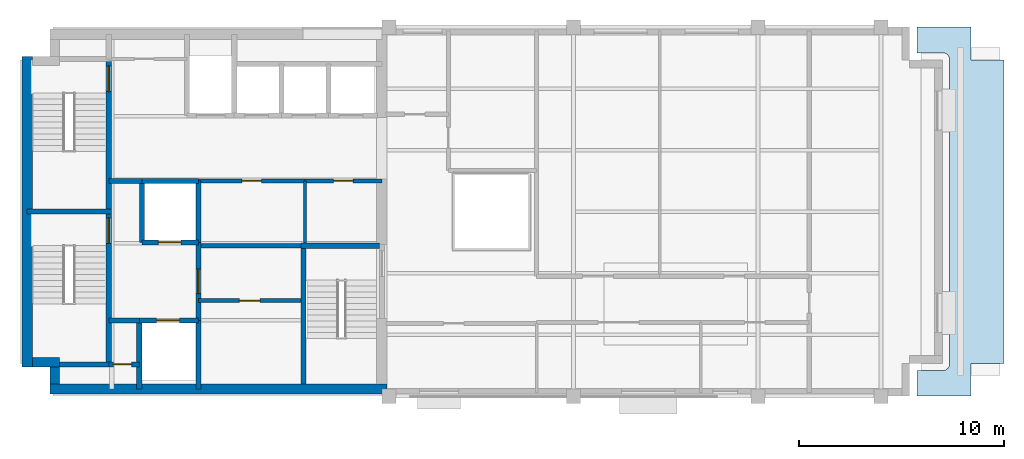
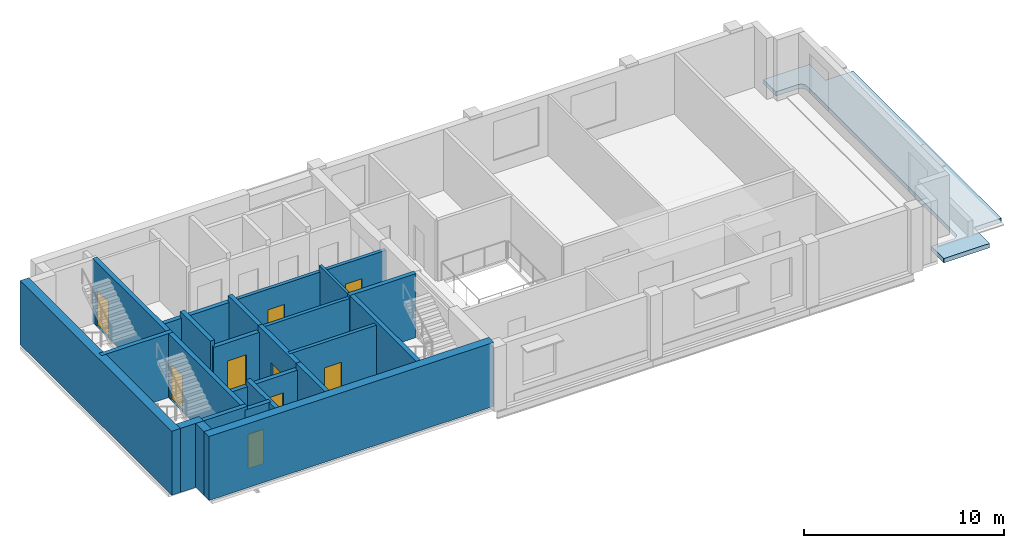
# One storey, part 2 of 5: 26 walls, 9 doors, 1 slab, 9 openings.
"""IFC4 building model written with IfcOpenShell, lengths in metres."""

from ifc_helpers import new_model, si_unit, direction, frame, frame_2d, origin, place, context, subcontext, project, spatial, polyline, rectangle, outline, extrude, material, layer, layer_set, type_object, element, fill, save


model = new_model("IFC4")

# Units and contexts
model_context = context("Model", 3, precision=1e-05, world=origin(), true_north=direction((0.0, 1.0)))
body_context = subcontext(model_context, "Body", "Model", "MODEL_VIEW")
ifc_project = project(units=[si_unit("LENGTHUNIT", "METRE"), si_unit("AREAUNIT", "SQUARE_METRE"), si_unit("VOLUMEUNIT", "CUBIC_METRE"), si_unit("PLANEANGLEUNIT", "RADIAN"), si_unit("MASSUNIT", "GRAM", prefix="KILO")], contexts=[model_context])

# Site, building, storey
site_placement = place(None, origin())
site = spatial("IfcSite", under=ifc_project, at=site_placement, CompositionType="ELEMENT")
building_placement = place(site_placement, origin())
building = spatial("IfcBuilding", under=site, at=building_placement, Name="Mawjdan Bourse Tower", CompositionType="ELEMENT")
storey_placement = place(building_placement, frame((0.0, 0.0, 285.89990234375)))
storey = spatial("IfcBuildingStorey", under=building, at=storey_placement, Name="L70", CompositionType="ELEMENT", Elevation=285.89990234375)

# Slab
ifc_material_1 = material(Name="Concrete C50/60", Category="concrete")
ifc_layer_1 = layer(ifc_material_1, 0.260009765625)
ifc_layer_set_1 = layer_set([ifc_layer_1], Name="Concrete C50/60")
slab_type = type_object("IfcSlabType", Name="SL-ROOF-260", PredefinedType="ROOF", material=ifc_layer_set_1)
slab_placement = place(storey_placement, frame((0.0, 0.0, -0.260009765625)))
element("IfcSlab", 1, at=slab_placement, inside=storey, type_object=slab_type, Name="L70 Setback Weather Roof 1", PredefinedType="ROOF", context=body_context, shape_type="SweptSolid", body=[
    extrude(outline(polyline([(49.77001953125, 21.0), (49.76806640625, 21.0), (49.76611328125, 20.99951171875), (49.76416015625, 20.9990234375), (49.76220703125, 20.99853515625), (49.760498046875, 20.99755859375), (49.7587890625, 20.99658203125), (49.75732421875, 20.99560546875), (49.755859375, 20.994140625), (49.75439453125, 20.99267578125), (49.75341796875, 20.9912109375), (49.75244140625, 20.989501953125), (49.75146484375, 20.98779296875), (49.7509765625, 20.98583984375), (49.75048828125, 20.98388671875), (49.75, 20.98193359375), (49.75, 20.97998046875), (49.75, 19.77001953125), (49.75, 19.76806640625), (49.75048828125, 19.76611328125), (49.7509765625, 19.76416015625), (49.75146484375, 19.76220703125), (49.75244140625, 19.760498046875), (49.75341796875, 19.7587890625), (49.75439453125, 19.75732421875), (49.755859375, 19.755859375), (49.75732421875, 19.75439453125), (49.7587890625, 19.75341796875), (49.760498046875, 19.75244140625), (49.76220703125, 19.75146484375), (49.76416015625, 19.7509765625), (49.76611328125, 19.75048828125), (49.76806640625, 19.75), (49.77001953125, 19.75), (50.999755859375, 19.75), (51.000244140625, 19.75), (51.03369140625, 19.748291015625), (51.034912109375, 19.748291015625), (51.06787109375, 19.743408203125), (51.06884765625, 19.7431640625), (51.10107421875, 19.735107421875), (51.10205078125, 19.73486328125), (51.133544921875, 19.723388671875), (51.134521484375, 19.72314453125), (51.16455078125, 19.708984375), (51.165283203125, 19.70849609375), (51.194091796875, 19.69140625), (51.19482421875, 19.690673828125), (51.2216796875, 19.6708984375), (51.222412109375, 19.670166015625), (51.2470703125, 19.647705078125), (51.247802734375, 19.647216796875), (51.270263671875, 19.622314453125), (51.270751953125, 19.62158203125), (51.290771484375, 19.5947265625), (51.291259765625, 19.593994140625), (51.308349609375, 19.5654296875), (51.308837890625, 19.564453125), (51.322998046875, 19.534423828125), (51.323486328125, 19.533447265625), (51.334716796875, 19.502197265625), (51.3349609375, 19.501220703125), (51.34326171875, 19.46875), (51.34326171875, 19.4677734375), (51.34814453125, 19.434814453125), (51.348388671875, 19.433837890625), (51.35009765625, 19.400146484375), (51.35009765625, 19.39990234375), (51.35009765625, 4.60009765625), (51.35009765625, 4.599853515625), (51.348388671875, 4.566162109375), (51.34814453125, 4.565185546875), (51.34326171875, 4.5322265625), (51.34326171875, 4.53125), (51.3349609375, 4.498779296875), (51.334716796875, 4.497802734375), (51.323486328125, 4.466552734375), (51.322998046875, 4.465576171875), (51.308837890625, 4.435546875), (51.308349609375, 4.4345703125), (51.291259765625, 4.406005859375), (51.290771484375, 4.4052734375), (51.270751953125, 4.37841796875), (51.270263671875, 4.377685546875), (51.247802734375, 4.352783203125), (51.2470703125, 4.352294921875), (51.222412109375, 4.329833984375), (51.2216796875, 4.3291015625), (51.19482421875, 4.309326171875), (51.194091796875, 4.30859375), (51.165283203125, 4.29150390625), (51.16455078125, 4.291015625), (51.134521484375, 4.27685546875), (51.133544921875, 4.276611328125), (51.10205078125, 4.26513671875), (51.10107421875, 4.264892578125), (51.06884765625, 4.2568359375), (51.06787109375, 4.256591796875), (51.034912109375, 4.251708984375), (51.03369140625, 4.251708984375), (51.000244140625, 4.25), (50.999755859375, 4.25), (49.77001953125, 4.25), (49.76806640625, 4.25), (49.76611328125, 4.24951171875), (49.76416015625, 4.2490234375), (49.76220703125, 4.24853515625), (49.760498046875, 4.24755859375), (49.7587890625, 4.24658203125), (49.75732421875, 4.24560546875), (49.755859375, 4.244140625), (49.75439453125, 4.24267578125), (49.75341796875, 4.2412109375), (49.75244140625, 4.239501953125), (49.75146484375, 4.23779296875), (49.7509765625, 4.23583984375), (49.75048828125, 4.23388671875), (49.75, 4.23193359375), (49.75, 4.22998046875), (49.75, 3.02001953125), (49.75, 3.01806640625), (49.75048828125, 3.01611328125), (49.7509765625, 3.01416015625), (49.75146484375, 3.01220703125), (49.75244140625, 3.010498046875), (49.75341796875, 3.0087890625), (49.75439453125, 3.00732421875), (49.755859375, 3.005859375), (49.75732421875, 3.00439453125), (49.7587890625, 3.00341796875), (49.760498046875, 3.00244140625), (49.76220703125, 3.00146484375), (49.76416015625, 3.0009765625), (49.76611328125, 3.00048828125), (49.76806640625, 3.0), (49.77001953125, 3.0), (52.3798828125, 3.0), (52.382080078125, 3.0), (52.3837890625, 3.00048828125), (52.3857421875, 3.0009765625), (52.3876953125, 3.00146484375), (52.389404296875, 3.00244140625), (52.39111328125, 3.00341796875), (52.392578125, 3.00439453125), (52.39404296875, 3.005859375), (52.3955078125, 3.00732421875), (52.396484375, 3.0087890625), (52.397705078125, 3.010498046875), (52.3984375, 3.01220703125), (52.399169921875, 3.01416015625), (52.399658203125, 3.01611328125), (52.39990234375, 3.01806640625), (52.39990234375, 3.02001953125), (52.39990234375, 4.599609375), (52.39990234375, 4.60009765625), (52.400390625, 4.60009765625), (53.97998046875, 4.60009765625), (53.98193359375, 4.60009765625), (53.98388671875, 4.600341796875), (53.98583984375, 4.600830078125), (53.98779296875, 4.6015625), (53.989501953125, 4.602294921875), (53.9912109375, 4.603515625), (53.99267578125, 4.6044921875), (53.994140625, 4.60595703125), (53.99560546875, 4.607421875), (53.99658203125, 4.60888671875), (53.99755859375, 4.610595703125), (53.99853515625, 4.6123046875), (53.9990234375, 4.6142578125), (53.99951171875, 4.6162109375), (54.0, 4.617919921875), (54.0, 4.6201171875), (54.0, 19.3798828125), (54.0, 19.382080078125), (53.99951171875, 19.3837890625), (53.9990234375, 19.3857421875), (53.99853515625, 19.3876953125), (53.99755859375, 19.389404296875), (53.99658203125, 19.39111328125), (53.99560546875, 19.392578125), (53.994140625, 19.39404296875), (53.99267578125, 19.3955078125), (53.9912109375, 19.396484375), (53.989501953125, 19.397705078125), (53.98779296875, 19.3984375), (53.98583984375, 19.399169921875), (53.98388671875, 19.399658203125), (53.98193359375, 19.39990234375), (53.97998046875, 19.39990234375), (52.400390625, 19.39990234375), (52.39990234375, 19.39990234375), (52.39990234375, 19.400390625), (52.39990234375, 20.97998046875), (52.39990234375, 20.98193359375), (52.399658203125, 20.98388671875), (52.399169921875, 20.98583984375), (52.3984375, 20.98779296875), (52.397705078125, 20.989501953125), (52.396484375, 20.9912109375), (52.3955078125, 20.99267578125), (52.39404296875, 20.994140625), (52.392578125, 20.99560546875), (52.39111328125, 20.99658203125), (52.389404296875, 20.99755859375), (52.3876953125, 20.99853515625), (52.3857421875, 20.9990234375), (52.3837890625, 20.99951171875), (52.382080078125, 21.0), (52.3798828125, 21.0), (49.77001953125, 21.0)])), origin(), (0.0, 0.0, 1.0), 0.260009765625),
])

# Wall, opening, door
ifc_material_2 = material(Name="Gypsum Fireboard Assembly")
ifc_layer_2 = layer(ifc_material_2, 0.199951171875)
ifc_layer_set_2 = layer_set([ifc_layer_2], Name="Gypsum Fireboard Assembly")
wall_type_1 = type_object("IfcWallType", Name="WL-CMP-200", PredefinedType="PARTITIONING", material=ifc_layer_set_2)
wall_1_placement = place(storey_placement, frame((14.699951171875, 7.659912109375, 0.0), z_axis=(0.0, 0.0, 1.0), x_axis=(1.0, 0.0, 0.0)))
wall_1 = element("IfcWall", 2, at=wall_1_placement, inside=storey, type_object=wall_type_1, Name="L70 Staff Wellness Lounge North Wall", PredefinedType="PARTITIONING", context=body_context, shape_type="SweptSolid", body=[
    extrude(rectangle(XDim=5.0, YDim=0.199951171875, at=frame_2d((2.5, 0.0))), origin(), (0.0, 0.0, 1.0), 3.705078125),
])
opening_1_placement = place(wall_1_placement, frame((2.0, 0.0, 0.0)))
opening_1 = element("IfcOpeningElement", 3, at=opening_1_placement, cuts=wall_1, Name="Opening D-L70-13", PredefinedType="OPENING", context=body_context, shape_type="SweptSolid", body=[
    extrude(rectangle(XDim=1.0, YDim=2.14990234375, at=frame_2d((0.5, 1.074951171875))), frame((0.0, 0.10986328125, 0.0), z_axis=(0.0, -1.0, 0.0), x_axis=(1.0, 0.0, 0.0)), (0.0, 0.0, 1.0), 0.219970703125),
])
ifc_material_3 = material(Name="Hardwood Acoustic Leaf", Category="wood")
door_type_1 = type_object("IfcDoorType", Name="DR-OFC-1000", OperationType="NOTDEFINED", PredefinedType="DOOR", material=ifc_material_3)
door_1_placement = place(opening_1_placement, origin())
door_1 = element("IfcDoor", 4, at=door_1_placement, inside=storey, type_object=door_type_1, Name="L70 Staff Wellness Lounge Door D-L70-13", OperationType="SINGLE_SWING_LEFT", OverallHeight=2.14990234375, OverallWidth=1.0, PredefinedType="DOOR", context=body_context, shape_type="SweptSolid", body=[
    extrude(rectangle(XDim=1.0, YDim=2.14990234375, at=frame_2d((0.5, 1.074951171875))), frame((0.0, 0.02490234375, 0.0), z_axis=(0.0, -1.0, 0.0), x_axis=(1.0, 0.0, 0.0)), (0.0, 0.0, 1.0), 0.050048828125),
])
fill(opening_1, door_1)

# Wall
wall_2_placement = place(storey_placement, frame((14.824951171875, 10.340087890625, 0.0), z_axis=(0.0, 0.0, 1.0), x_axis=(1.0, 0.0, 0.0)))
element("IfcWall", 5, at=wall_2_placement, inside=storey, type_object=wall_type_1, Name="L70 Core Restroom Suite South Wall", PredefinedType="PARTITIONING", context=body_context, shape_type="SweptSolid", body=[
    extrude(rectangle(XDim=4.880126953125, YDim=0.199951171875, at=frame_2d((2.43994140625, 0.0))), origin(), (0.0, 0.0, 1.0), 3.705078125),
])

# Wall, opening, door
wall_3_placement = place(storey_placement, frame((14.699951171875, 13.5, 0.0), z_axis=(0.0, 0.0, 1.0), x_axis=(1.0, 0.0, 0.0)))
wall_3 = element("IfcWall", 6, at=wall_3_placement, inside=storey, type_object=wall_type_1, Name="L70 Accessible WC North Wall", PredefinedType="PARTITIONING", context=body_context, shape_type="SweptSolid", body=[
    extrude(rectangle(XDim=5.199951171875, YDim=0.199951171875, at=frame_2d((2.60009765625, 0.0))), origin(), (0.0, 0.0, 1.0), 3.35400390625),
])
opening_2_placement = place(wall_3_placement, frame((2.125, 0.0, 0.0)))
opening_2 = element("IfcOpeningElement", 7, at=opening_2_placement, cuts=wall_3, Name="Opening D-L70-14", PredefinedType="OPENING", context=body_context, shape_type="SweptSolid", body=[
    extrude(rectangle(XDim=0.949951171875, YDim=2.10009765625, at=frame_2d((0.47509765625, 1.050048828125))), frame((0.0, 0.10986328125, 0.0), z_axis=(0.0, -1.0, 0.0), x_axis=(1.0, 0.0, 0.0)), (0.0, 0.0, 1.0), 0.219970703125),
])
ifc_material_4 = material(Name="Moisture-Resistant Laminate Timber", Category="wood")
door_type_2 = type_object("IfcDoorType", Name="DR-WET-0950", OperationType="NOTDEFINED", PredefinedType="DOOR", material=ifc_material_4)
door_2_placement = place(opening_2_placement, origin())
door_2 = element("IfcDoor", 8, at=door_2_placement, inside=storey, type_object=door_type_2, Name="L70 Accessible WC Door D-L70-14", OperationType="SINGLE_SWING_RIGHT", OverallHeight=2.10009765625, OverallWidth=0.949951171875, PredefinedType="DOOR", context=body_context, shape_type="SweptSolid", body=[
    extrude(rectangle(XDim=0.949951171875, YDim=2.10009765625, at=frame_2d((0.47509765625, 1.050048828125))), frame((0.0, 0.02490234375, 0.0), z_axis=(0.0, -1.0, 0.0), x_axis=(1.0, 0.0, 0.0)), (0.0, 0.0, 1.0), 0.050048828125),
])
fill(opening_2, door_2)

wall_4_placement = place(storey_placement, frame((19.89990234375, 13.5, 0.0), z_axis=(0.0, 0.0, 1.0), x_axis=(1.0, 0.0, 0.0)))
wall_4 = element("IfcWall", 9, at=wall_4_placement, inside=storey, type_object=wall_type_1, Name="L70 Staff Wellness & Quiet Room North Wall", PredefinedType="PARTITIONING", context=body_context, shape_type="SweptSolid", body=[
    extrude(rectangle(XDim=3.75, YDim=0.199951171875, at=frame_2d((1.875, 0.0))), origin(), (0.0, 0.0, 1.0), 3.35400390625),
])
opening_3_placement = place(wall_4_placement, frame((1.39990234375, 0.0, 0.0)))
opening_3 = element("IfcOpeningElement", 10, at=opening_3_placement, cuts=wall_4, Name="Opening D-L70-15", PredefinedType="OPENING", context=body_context, shape_type="SweptSolid", body=[
    extrude(rectangle(XDim=0.949951171875, YDim=2.10009765625, at=frame_2d((0.47509765625, 1.050048828125))), frame((0.0, 0.10986328125, 0.0), z_axis=(0.0, -1.0, 0.0), x_axis=(1.0, 0.0, 0.0)), (0.0, 0.0, 1.0), 0.219970703125),
])
door_3_placement = place(opening_3_placement, origin())
door_3 = element("IfcDoor", 11, at=door_3_placement, inside=storey, type_object=door_type_2, Name="L70 Staff Wellness & Quiet Room Door D-L70-15", OperationType="SINGLE_SWING_LEFT", OverallHeight=2.10009765625, OverallWidth=0.949951171875, PredefinedType="DOOR", context=body_context, shape_type="SweptSolid", body=[
    extrude(rectangle(XDim=0.949951171875, YDim=2.10009765625, at=frame_2d((0.47509765625, 1.050048828125))), frame((0.0, 0.02490234375, 0.0), z_axis=(0.0, -1.0, 0.0), x_axis=(1.0, 0.0, 0.0)), (0.0, 0.0, 1.0), 0.050048828125),
])
fill(opening_3, door_3)

# Walls
ifc_material_5 = material(Name="Concrete C60/75", Category="concrete")
ifc_layer_3 = layer(ifc_material_5, 0.449951171875)
ifc_layer_set_3 = layer_set([ifc_layer_3], Name="Concrete C60/75")
wall_type_2 = type_object("IfcWallType", Name="WL-CORE-450", PredefinedType="SHEAR", material=ifc_layer_set_3)
wall_5_placement = place(storey_placement, frame((6.60009765625, 4.64990234375, 0.0), z_axis=(0.0, 0.0, 1.0), x_axis=(1.0, 0.0, 0.0)))
element("IfcWall", 12, at=wall_5_placement, inside=storey, type_object=wall_type_2, Name="L70 Rear Core Shear Wall SW-X", PredefinedType="SHEAR", context=body_context, shape_type="SweptSolid", body=[
    extrude(rectangle(XDim=1.324951171875, YDim=0.449951171875, at=frame_2d((0.66259765625, 0.0))), origin(), (0.0, 0.0, 1.0), 3.900146484375),
])
wall_6_placement = place(storey_placement, frame((7.699951171875, 3.60009765625, 0.0), z_axis=(0.0, 0.0, 1.0), x_axis=(0.0, 1.0, 0.0)))
element("IfcWall", 13, at=wall_6_placement, inside=storey, type_object=wall_type_2, Name="L70 Rear Core Shear Wall SW-Y", PredefinedType="SHEAR", context=body_context, shape_type="SweptSolid", body=[
    extrude(rectangle(XDim=0.824951171875, YDim=0.449951171875, at=frame_2d((0.41259765625, 0.0))), origin(), (0.0, 0.0, 1.0), 3.900146484375),
])
ifc_layer_4 = layer(ifc_material_5, 0.5)
ifc_layer_set_4 = layer_set([ifc_layer_4], Name="Concrete C60/75")
wall_type_3 = type_object("IfcWallType", Name="WL-CORE-500", PredefinedType="SHEAR", material=ifc_layer_set_4)
wall_7_placement = place(storey_placement, frame((7.47509765625, 3.35009765625, 0.0), z_axis=(0.0, 0.0, 1.0), x_axis=(1.0, 0.0, 0.0)))
element("IfcWall", 14, at=wall_7_placement, inside=storey, type_object=wall_type_3, Name="L70 Rear Core Shear Wall S", PredefinedType="SHEAR", context=body_context, shape_type="SweptSolid", body=[
    extrude(rectangle(XDim=16.4248046875, YDim=0.5, at=frame_2d((8.21240234375, 0.0))), origin(), (0.0, 0.0, 1.0), 3.900146484375),
])
wall_8_placement = place(storey_placement, frame((6.35009765625, 4.425048828125, 0.0), z_axis=(0.0, 0.0, 1.0), x_axis=(0.0, 1.0, 0.0)))
element("IfcWall", 15, at=wall_8_placement, inside=storey, type_object=wall_type_3, Name="L70 Rear Core Shear Wall W", PredefinedType="SHEAR", context=body_context, shape_type="SweptSolid", body=[
    extrude(rectangle(XDim=15.14990234375, YDim=0.5, at=frame_2d((7.574951171875, 0.0))), origin(), (0.0, 0.0, 1.0), 3.900146484375),
])
ifc_material_6 = material(Name="Gypsum Acoustic Partition")
ifc_layer_5 = layer(ifc_material_6, 0.14990234375)
ifc_layer_set_5 = layer_set([ifc_layer_5], Name="Gypsum Acoustic Partition")
wall_type_4 = type_object("IfcWallType", Name="WL-PRT-150", PredefinedType="PARTITIONING", material=ifc_layer_set_5)
wall_9_placement = place(storey_placement, frame((19.89990234375, 10.465087890625, 0.0), z_axis=(0.0, 0.0, 1.0), x_axis=(0.0, 1.0, 0.0)))
element("IfcWall", 16, at=wall_9_placement, inside=storey, type_object=wall_type_4, Name="L70 Staff Wellness & Quiet Room Split Wall", PredefinedType="PARTITIONING", context=body_context, shape_type="SweptSolid", body=[
    extrude(rectangle(XDim=3.034912109375, YDim=0.14990234375, at=frame_2d((1.517578125, 0.0))), origin(), (0.0, 0.0, 1.0), 3.705078125),
])

# Wall, opening, door
ifc_layer_6 = layer(ifc_material_1, 0.25)
ifc_layer_set_6 = layer_set([ifc_layer_6], Name="Concrete C50/60")
wall_type_5 = type_object("IfcWallType", Name="WL-SHFT-250", PredefinedType="PARTITIONING", material=ifc_layer_set_6)
wall_10_placement = place(storey_placement, frame((10.330078125, 4.550048828125, 0.0), z_axis=(0.0, 0.0, 1.0), x_axis=(1.0, 0.0, 0.0)))
wall_10 = element("IfcWall", 17, at=wall_10_placement, inside=storey, type_object=wall_type_5, Name="L70 SW Riser North Wall", PredefinedType="PARTITIONING", context=body_context, shape_type="SweptSolid", body=[
    extrude(rectangle(XDim=1.489990234375, YDim=0.25, at=frame_2d((0.7451171875, 0.0))), origin(), (0.0, 0.0, 1.0), 3.705078125),
])
opening_4_placement = place(wall_10_placement, frame((0.219970703125, 0.0, 0.0)))
opening_4 = element("IfcOpeningElement", 18, at=opening_4_placement, cuts=wall_10, Name="Opening RD-L70-03", PredefinedType="OPENING", context=body_context, shape_type="SweptSolid", body=[
    extrude(rectangle(XDim=0.89990234375, YDim=2.10009765625, at=frame_2d((0.449951171875, 1.050048828125))), frame((0.0, 0.135009765625, 0.0), z_axis=(0.0, -1.0, 0.0), x_axis=(1.0, 0.0, 0.0)), (0.0, 0.0, 1.0), 0.27001953125),
])
ifc_material_7 = material(Name="Fire-Rated Steel Access Leaf", Category="steel")
door_type_3 = type_object("IfcDoorType", Name="FD-RSR-0900", OperationType="NOTDEFINED", PredefinedType="TRAPDOOR", material=ifc_material_7)
door_4_placement = place(opening_4_placement, origin())
door_4 = element("IfcDoor", 19, at=door_4_placement, inside=storey, type_object=door_type_3, Name="L70 Electrical Riser Access Door RD-L70-03", OperationType="SINGLE_SWING_LEFT", OverallHeight=2.10009765625, OverallWidth=0.89990234375, PredefinedType="TRAPDOOR", context=body_context, shape_type="SweptSolid", body=[
    extrude(rectangle(XDim=0.89990234375, YDim=2.10009765625, at=frame_2d((0.449951171875, 1.050048828125))), frame((0.0, 0.02490234375, 0.0), z_axis=(0.0, -1.0, 0.0), x_axis=(1.0, 0.0, 0.0)), (0.0, 0.0, 1.0), 0.050048828125),
])
fill(opening_4, door_4)

# Wall
wall_11_placement = place(storey_placement, frame((11.820068359375, 3.35009765625, 0.0), z_axis=(0.0, 0.0, 1.0), x_axis=(0.0, 1.0, 0.0)))
element("IfcWall", 20, at=wall_11_placement, inside=storey, type_object=wall_type_5, Name="L70 SW Riser & FFL01 West Wall", PredefinedType="PARTITIONING", context=body_context, shape_type="SweptSolid", body=[
    extrude(rectangle(XDim=3.349853515625, YDim=0.25, at=frame_2d((1.6748046875, 0.0))), origin(), (0.0, 0.0, 1.0), 3.705078125),
])

# Wall, opening, door
wall_12_placement = place(storey_placement, frame((11.820068359375, 6.699951171875, 0.0), z_axis=(0.0, 0.0, 1.0), x_axis=(1.0, 0.0, 0.0)))
wall_12 = element("IfcWall", 21, at=wall_12_placement, inside=storey, type_object=wall_type_5, Name="L70 FFL-01 Front Shaft Wall", PredefinedType="PARTITIONING", context=body_context, shape_type="SweptSolid", body=[
    extrude(rectangle(XDim=2.8798828125, YDim=0.25, at=frame_2d((1.43994140625, 0.0))), origin(), (0.0, 0.0, 1.0), 3.35400390625),
])
opening_5_placement = place(wall_12_placement, frame((0.85009765625, 0.0, 0.0)))
opening_5 = element("IfcOpeningElement", 22, at=opening_5_placement, cuts=wall_12, Name="Opening LD-L70-05", PredefinedType="OPENING", context=body_context, shape_type="SweptSolid", body=[
    extrude(rectangle(XDim=1.10009765625, YDim=2.25, at=frame_2d((0.550048828125, 1.125))), frame((0.0, 0.135009765625, 0.0), z_axis=(0.0, -1.0, 0.0), x_axis=(1.0, 0.0, 0.0)), (0.0, 0.0, 1.0), 0.27001953125),
])
ifc_material_8 = material(Name="Brushed Stainless Steel", Category="steel")
door_type_4 = type_object("IfcDoorType", Name="LD-FFL-1100", OperationType="DOUBLE_DOOR_SLIDING", PredefinedType="DOOR", material=ifc_material_8)
door_5_placement = place(opening_5_placement, origin())
door_5 = element("IfcDoor", 23, at=door_5_placement, inside=storey, type_object=door_type_4, Name="L70 Firefighting Lift FFL-01 Landing Door LD-L70-05", OperationType="DOUBLE_DOOR_SLIDING", OverallHeight=2.25, OverallWidth=1.10009765625, PredefinedType="DOOR", context=body_context, shape_type="SweptSolid", body=[
    extrude(rectangle(XDim=1.10009765625, YDim=2.25, at=frame_2d((0.550048828125, 1.125))), frame((0.0, 0.02490234375, 0.0), z_axis=(0.0, -1.0, 0.0), x_axis=(1.0, 0.0, 0.0)), (0.0, 0.0, 1.0), 0.050048828125),
])
fill(opening_5, door_5)

# Wall
wall_13_placement = place(storey_placement, frame((14.699951171875, 3.35009765625, 0.0), z_axis=(0.0, 0.0, 1.0), x_axis=(0.0, 1.0, 0.0)))
element("IfcWall", 24, at=wall_13_placement, inside=storey, type_object=wall_type_5, Name="L70 FFL-01 East Shaft Wall", PredefinedType="PARTITIONING", context=body_context, shape_type="SweptSolid", body=[
    extrude(rectangle(XDim=3.349853515625, YDim=0.25, at=frame_2d((1.6748046875, 0.0))), origin(), (0.0, 0.0, 1.0), 3.705078125),
])

# Wall, opening, door
wall_14_placement = place(storey_placement, frame((11.949951171875, 10.5, 0.0), z_axis=(0.0, 0.0, 1.0), x_axis=(1.0, 0.0, 0.0)))
wall_14 = element("IfcWall", 25, at=wall_14_placement, inside=storey, type_object=wall_type_5, Name="L70 FFL-02 Front Shaft Wall", PredefinedType="PARTITIONING", context=body_context, shape_type="SweptSolid", body=[
    extrude(rectangle(XDim=2.75, YDim=0.25, at=frame_2d((1.375, 0.0))), origin(), (0.0, 0.0, 1.0), 3.35400390625),
])
opening_6_placement = place(wall_14_placement, frame((0.800048828125, 0.0, 0.0)))
opening_6 = element("IfcOpeningElement", 26, at=opening_6_placement, cuts=wall_14, Name="Opening LD-L70-06", PredefinedType="OPENING", context=body_context, shape_type="SweptSolid", body=[
    extrude(rectangle(XDim=1.10009765625, YDim=2.25, at=frame_2d((0.550048828125, 1.125))), frame((0.0, 0.135009765625, 0.0), z_axis=(0.0, -1.0, 0.0), x_axis=(1.0, 0.0, 0.0)), (0.0, 0.0, 1.0), 0.27001953125),
])
door_6_placement = place(opening_6_placement, origin())
door_6 = element("IfcDoor", 27, at=door_6_placement, inside=storey, type_object=door_type_4, Name="L70 Firefighting Lift FFL-02 Landing Door LD-L70-06", OperationType="DOUBLE_DOOR_SLIDING", OverallHeight=2.25, OverallWidth=1.10009765625, PredefinedType="DOOR", context=body_context, shape_type="SweptSolid", body=[
    extrude(rectangle(XDim=1.10009765625, YDim=2.25, at=frame_2d((0.550048828125, 1.125))), frame((0.0, 0.02490234375, 0.0), z_axis=(0.0, -1.0, 0.0), x_axis=(1.0, 0.0, 0.0)), (0.0, 0.0, 1.0), 0.050048828125),
])
fill(opening_6, door_6)

# Walls
wall_15_placement = place(storey_placement, frame((11.949951171875, 10.5, 0.0), z_axis=(0.0, 0.0, 1.0), x_axis=(0.0, 1.0, 0.0)))
element("IfcWall", 28, at=wall_15_placement, inside=storey, type_object=wall_type_5, Name="L70 FFL-02 West Shaft Wall", PredefinedType="PARTITIONING", context=body_context, shape_type="SweptSolid", body=[
    extrude(rectangle(XDim=3.0, YDim=0.25, at=frame_2d((1.5, 0.0))), origin(), (0.0, 0.0, 1.0), 3.705078125),
])
wall_16_placement = place(storey_placement, frame((11.949951171875, 13.5, 0.0), z_axis=(0.0, 0.0, 1.0), x_axis=(1.0, 0.0, 0.0)))
element("IfcWall", 29, at=wall_16_placement, inside=storey, type_object=wall_type_5, Name="L70 FFL-02 North Shaft Wall", PredefinedType="PARTITIONING", context=body_context, shape_type="SweptSolid", body=[
    extrude(rectangle(XDim=2.75, YDim=0.25, at=frame_2d((1.375, 0.0))), origin(), (0.0, 0.0, 1.0), 3.35400390625),
])
wall_17_placement = place(storey_placement, frame((14.699951171875, 10.5, 0.0), z_axis=(0.0, 0.0, 1.0), x_axis=(0.0, 1.0, 0.0)))
element("IfcWall", 30, at=wall_17_placement, inside=storey, type_object=wall_type_5, Name="L70 FFL-02 East Shaft Wall", PredefinedType="PARTITIONING", context=body_context, shape_type="SweptSolid", body=[
    extrude(rectangle(XDim=3.0, YDim=0.25, at=frame_2d((1.5, 0.0))), origin(), (0.0, 0.0, 1.0), 3.705078125),
])

# Wall, opening, door
wall_18_placement = place(storey_placement, frame((14.699951171875, 6.699951171875, 0.0), z_axis=(0.0, 0.0, 1.0), x_axis=(0.0, 1.0, 0.0)))
wall_18 = element("IfcWall", 31, at=wall_18_placement, inside=storey, type_object=wall_type_5, Name="L70 Firefighting Lobby East Compartment Wall", PredefinedType="PARTITIONING", context=body_context, shape_type="SweptSolid", body=[
    extrude(rectangle(XDim=3.800048828125, YDim=0.25, at=frame_2d((1.89990234375, 0.0))), origin(), (0.0, 0.0, 1.0), 3.705078125),
])
opening_7_placement = place(wall_18_placement, frame((1.300048828125, 0.0, 0.0)))
opening_7 = element("IfcOpeningElement", 32, at=opening_7_placement, cuts=wall_18, Name="Opening FD-L70-07", PredefinedType="OPENING", context=body_context, shape_type="SweptSolid", body=[
    extrude(rectangle(XDim=1.199951171875, YDim=2.199951171875, at=frame_2d((0.60009765625, 1.10009765625))), frame((0.0, 0.135009765625, 0.0), z_axis=(0.0, -1.0, 0.0), x_axis=(1.0, 0.0, 0.0)), (0.0, 0.0, 1.0), 0.27001953125),
])
ifc_material_9 = material(Name="Fire-Rated Steel Leaf", Category="steel")
door_type_5 = type_object("IfcDoorType", Name="FD-FFL-1200", OperationType="NOTDEFINED", PredefinedType="DOOR", material=ifc_material_9)
door_7_placement = place(opening_7_placement, origin())
door_7 = element("IfcDoor", 33, at=door_7_placement, inside=storey, type_object=door_type_5, Name="L70 Firefighting Lobby East Smoke Door FD-L70-07", OperationType="SINGLE_SWING_LEFT", OverallHeight=2.199951171875, OverallWidth=1.199951171875, PredefinedType="DOOR", context=body_context, shape_type="SweptSolid", body=[
    extrude(rectangle(XDim=1.199951171875, YDim=2.199951171875, at=frame_2d((0.60009765625, 1.10009765625))), frame((0.0, 0.02490234375, 0.0), z_axis=(0.0, -1.0, 0.0), x_axis=(1.0, 0.0, 0.0)), (0.0, 0.0, 1.0), 0.050048828125),
])
fill(opening_7, door_7)

# Walls
wall_19_placement = place(storey_placement, frame((10.330078125, 13.5, 0.0), z_axis=(0.0, 0.0, 1.0), x_axis=(1.0, 0.0, 0.0)))
element("IfcWall", 34, at=wall_19_placement, inside=storey, type_object=wall_type_5, Name="L70 Firefighting Lobby North Compartment Wall", PredefinedType="PARTITIONING", context=body_context, shape_type="SweptSolid", body=[
    extrude(rectangle(XDim=1.619873046875, YDim=0.25, at=frame_2d((0.81005859375, 0.0))), origin(), (0.0, 0.0, 1.0), 3.35400390625),
])
wall_20_placement = place(storey_placement, frame((10.330078125, 6.699951171875, 0.0), z_axis=(0.0, 0.0, 1.0), x_axis=(1.0, 0.0, 0.0)))
element("IfcWall", 35, at=wall_20_placement, inside=storey, type_object=wall_type_5, Name="L70 Firefighting Lobby South Closure Wall", PredefinedType="PARTITIONING", context=body_context, shape_type="SweptSolid", body=[
    extrude(rectangle(XDim=1.489990234375, YDim=0.25, at=frame_2d((0.7451171875, 0.0))), origin(), (0.0, 0.0, 1.0), 3.35400390625),
])
ifc_layer_7 = layer(ifc_material_1, 0.25)
ifc_layer_set_7 = layer_set([ifc_layer_7], Name="Concrete C50/60")
wall_type_6 = type_object("IfcWallType", Name="WL-STRW-250", PredefinedType="SHEAR", material=ifc_layer_set_7)
wall_21_placement = place(storey_placement, frame((6.35009765625, 12.0, 0.0), z_axis=(0.0, 0.0, 1.0), x_axis=(1.0, 0.0, 0.0)))
element("IfcWall", 36, at=wall_21_placement, inside=storey, type_object=wall_type_6, Name="L70 Stairwell Dividing Shaft Wall", PredefinedType="SHEAR", context=body_context, shape_type="SweptSolid", body=[
    extrude(rectangle(XDim=4.10498046875, YDim=0.25, at=frame_2d((2.052490234375, 0.0))), origin(), (0.0, 0.0, 1.0), 3.900146484375),
])
wall_22_placement = place(storey_placement, frame((7.699951171875, 4.550048828125, 0.0), z_axis=(0.0, 0.0, 1.0), x_axis=(1.0, 0.0, 0.0)))
element("IfcWall", 37, at=wall_22_placement, inside=storey, type_object=wall_type_6, Name="L70 Stairwell ST1 South Shaft Wall", PredefinedType="SHEAR", context=body_context, shape_type="SweptSolid", body=[
    extrude(rectangle(XDim=2.755126953125, YDim=0.25, at=frame_2d((1.37744140625, 0.0))), origin(), (0.0, 0.0, 1.0), 3.900146484375),
])

# Wall, opening, door
wall_23_placement = place(storey_placement, frame((10.330078125, 4.550048828125, 0.0), z_axis=(0.0, 0.0, 1.0), x_axis=(0.0, 1.0, 0.0)))
wall_23 = element("IfcWall", 38, at=wall_23_placement, inside=storey, type_object=wall_type_6, Name="L70 Stairwell ST1 East Enclosure Wall", PredefinedType="SHEAR", context=body_context, shape_type="SweptSolid", body=[
    extrude(rectangle(XDim=7.449951171875, YDim=0.25, at=frame_2d((3.72509765625, 0.0))), origin(), (0.0, 0.0, 1.0), 3.900146484375),
])
opening_8_placement = place(wall_23_placement, frame((5.89990234375, 0.0, 0.0)))
opening_8 = element("IfcOpeningElement", 39, at=opening_8_placement, cuts=wall_23, Name="Opening SD-L70-01", PredefinedType="OPENING", context=body_context, shape_type="SweptSolid", body=[
    extrude(rectangle(XDim=1.25, YDim=2.199951171875, at=frame_2d((0.625, 1.10009765625))), frame((0.0, 0.135009765625, 0.0), z_axis=(0.0, -1.0, 0.0), x_axis=(1.0, 0.0, 0.0)), (0.0, 0.0, 1.0), 0.27001953125),
])
door_type_6 = type_object("IfcDoorType", Name="FD-ST-1250", OperationType="NOTDEFINED", PredefinedType="DOOR", material=ifc_material_9)
door_8_placement = place(opening_8_placement, origin())
door_8 = element("IfcDoor", 40, at=door_8_placement, inside=storey, type_object=door_type_6, Name="L70 Exit Stair ST1 Fire Door SD-L70-01", OperationType="SINGLE_SWING_LEFT", OverallHeight=2.199951171875, OverallWidth=1.25, PredefinedType="DOOR", context=body_context, shape_type="SweptSolid", body=[
    extrude(rectangle(XDim=1.25, YDim=2.199951171875, at=frame_2d((0.625, 1.10009765625))), frame((0.0, 0.02490234375, 0.0), z_axis=(0.0, -1.0, 0.0), x_axis=(1.0, 0.0, 0.0)), (0.0, 0.0, 1.0), 0.050048828125),
])
fill(opening_8, door_8)

wall_24_placement = place(storey_placement, frame((10.330078125, 12.0, 0.0), z_axis=(0.0, 0.0, 1.0), x_axis=(0.0, 1.0, 0.0)))
wall_24 = element("IfcWall", 41, at=wall_24_placement, inside=storey, type_object=wall_type_6, Name="L70 Stairwell ST2 East Enclosure Wall", PredefinedType="SHEAR", context=body_context, shape_type="SweptSolid", body=[
    extrude(rectangle(XDim=7.449951171875, YDim=0.25, at=frame_2d((3.72509765625, 0.0))), origin(), (0.0, 0.0, 1.0), 3.900146484375),
])
opening_9_placement = place(wall_24_placement, frame((5.85009765625, 0.0, 0.0)))
opening_9 = element("IfcOpeningElement", 42, at=opening_9_placement, cuts=wall_24, Name="Opening SD-L70-02", PredefinedType="OPENING", context=body_context, shape_type="SweptSolid", body=[
    extrude(rectangle(XDim=1.25, YDim=2.199951171875, at=frame_2d((0.625, 1.10009765625))), frame((0.0, 0.135009765625, 0.0), z_axis=(0.0, -1.0, 0.0), x_axis=(1.0, 0.0, 0.0)), (0.0, 0.0, 1.0), 0.27001953125),
])
door_9_placement = place(opening_9_placement, origin())
door_9 = element("IfcDoor", 43, at=door_9_placement, inside=storey, type_object=door_type_6, Name="L70 Exit Stair ST2 Fire Door SD-L70-02", OperationType="SINGLE_SWING_RIGHT", OverallHeight=2.199951171875, OverallWidth=1.25, PredefinedType="DOOR", context=body_context, shape_type="SweptSolid", body=[
    extrude(rectangle(XDim=1.25, YDim=2.199951171875, at=frame_2d((0.625, 1.10009765625))), frame((0.0, 0.02490234375, 0.0), z_axis=(0.0, -1.0, 0.0), x_axis=(1.0, 0.0, 0.0)), (0.0, 0.0, 1.0), 0.050048828125),
])
fill(opening_9, door_9)

# Walls
wall_25_placement = place(storey_placement, frame((19.830078125, 3.60009765625, 0.0), z_axis=(0.0, 0.0, 1.0), x_axis=(0.0, 1.0, 0.0)))
element("IfcWall", 44, at=wall_25_placement, inside=storey, type_object=wall_type_6, Name="L70 ST7 West Shaft Wall", PredefinedType="SHEAR", context=body_context, shape_type="SweptSolid", body=[
    extrude(rectangle(XDim=6.739990234375, YDim=0.25, at=frame_2d((3.3701171875, 0.0))), origin(), (0.0, 0.0, 1.0), 3.900146484375),
])
wall_26_placement = place(storey_placement, frame((19.705078125, 10.340087890625, 0.0), z_axis=(0.0, 0.0, 1.0), x_axis=(1.0, 0.0, 0.0)))
element("IfcWall", 45, at=wall_26_placement, inside=storey, type_object=wall_type_6, Name="L70 ST7 North Shaft Wall", PredefinedType="SHEAR", context=body_context, shape_type="SweptSolid", body=[
    extrude(rectangle(XDim=3.81982421875, YDim=0.25, at=frame_2d((1.909912109375, 0.0))), origin(), (0.0, 0.0, 1.0), 3.900146484375),
])

save(model, "model.ifc")
